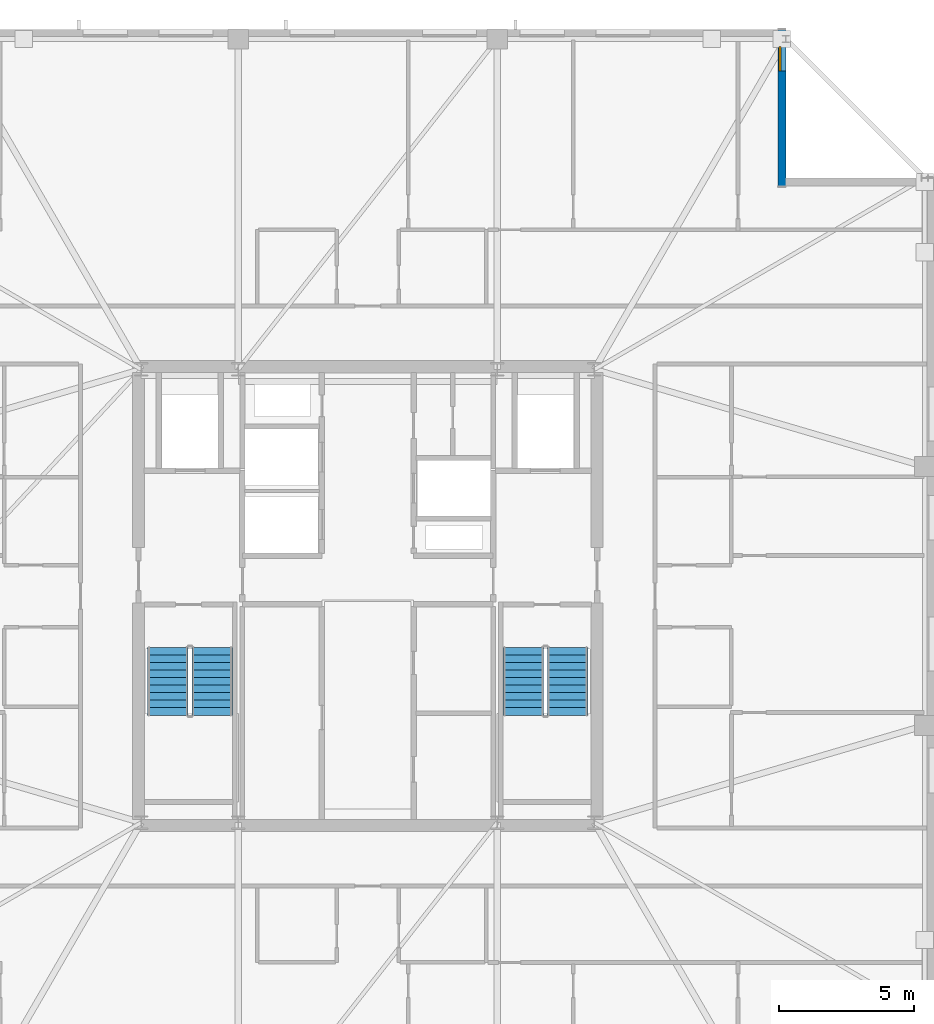
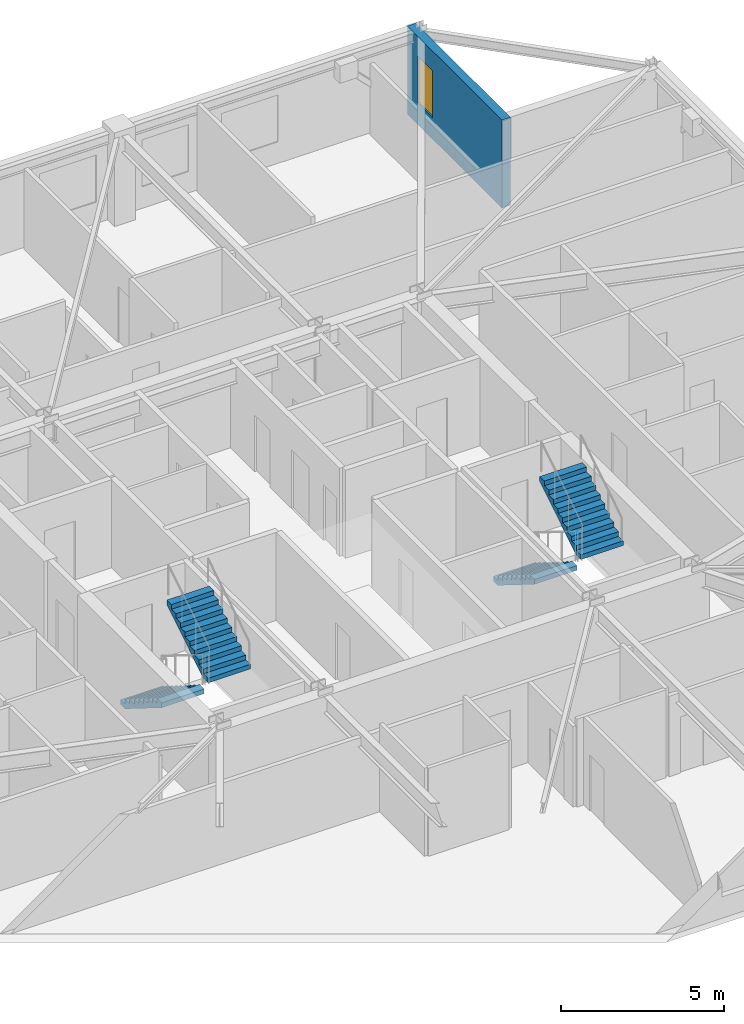
# One storey, part 11 of 15: 4 stair flights, 1 wall, 1 window, 1 opening, 2 elements without a shape of their own.
"""IFC4 building model written with IfcOpenShell, lengths in metres."""

from ifc_helpers import new_model, si_unit, direction, frame, frame_2d, origin, place, context, subcontext, project, spatial, polyline, rectangle, outline, extrude, material, layer, layer_set, type_object, element, fill, aggregate, save


model = new_model("IFC4")

# Units and contexts
model_context = context("Model", 3, precision=1e-05, world=origin(), true_north=direction((0.0, 1.0)))
body_context = subcontext(model_context, "Body", "Model", "MODEL_VIEW")
ifc_project = project(units=[si_unit("LENGTHUNIT", "METRE"), si_unit("AREAUNIT", "SQUARE_METRE"), si_unit("VOLUMEUNIT", "CUBIC_METRE"), si_unit("PLANEANGLEUNIT", "RADIAN"), si_unit("MASSUNIT", "GRAM", prefix="KILO")], contexts=[model_context])

# Site, building, storey
site_placement = place(None, origin())
site = spatial("IfcSite", under=ifc_project, at=site_placement, CompositionType="ELEMENT")
building_placement = place(site_placement, origin())
building = spatial("IfcBuilding", under=site, at=building_placement, Name="Cairnveth Concourse Tower", CompositionType="ELEMENT")
storey_placement = place(building_placement, frame((0.0, 0.0, 284.0)))
storey = spatial("IfcBuildingStorey", under=building, at=storey_placement, Name="L78", CompositionType="ELEMENT", Elevation=284.0)

# Wall, opening, window
ifc_material_1 = material(Name="Hawthorn Red-Ochre Fired Clay Brick Masonry", Category="masonry")
ifc_layer = layer(ifc_material_1, 0.300048828125)
ifc_layer_set = layer_set([ifc_layer], Name="Hawthorn Red-Ochre Fired Clay Brick Masonry")
wall_type = type_object("IfcWallType", Name="ZONE 4 BRICK PIER SPANDREL WALL 300", PredefinedType="SOLIDWALL", material=ifc_layer_set)
wall_placement = place(storey_placement, frame((67.35009765625, 60.0, 0.0), z_axis=(0.0, 0.0, 1.0), x_axis=(0.0, -1.0, 0.0)))
wall = element("IfcWall", 1, at=wall_placement, inside=storey, type_object=wall_type, Name="Exterior Wall EW-L78-S07", PredefinedType="SOLIDWALL", context=body_context, shape_type="SweptSolid", body=[
    extrude(rectangle(XDim=5.800048828125, YDim=0.300048828125, at=frame_2d((2.89990234375, 0.0))), origin(), (0.0, 0.0, 1.0), 3.2900390625),
])
opening_placement = place(wall_placement, frame((0.6298828125, 0.0, 0.800048828125)))
opening = element("IfcOpeningElement", 2, at=opening_placement, cuts=wall, Name="Opening W13", PredefinedType="OPENING", context=body_context, shape_type="SweptSolid", body=[
    extrude(rectangle(XDim=0.89990234375, YDim=1.75, at=frame_2d((0.449951171875, 0.875))), frame((0.0, 0.159912109375, 0.0), z_axis=(0.0, -1.0, 0.0), x_axis=(1.0, 0.0, 0.0)), (0.0, 0.0, 1.0), 0.320068359375),
])
ifc_material_2 = material(Name="Double Glazed Low-E Clear Glass", Category="glass")
window_type = type_object("IfcWindowType", Name="DEEP-SET BEDROOM LANCET WINDOW 900X1750", PartitioningType="DOUBLE_PANEL_VERTICAL", PredefinedType="WINDOW", material=ifc_material_2)
window_placement = place(opening_placement, origin())
window = element("IfcWindow", 3, at=window_placement, inside=storey, type_object=window_type, Name="Dwelling Lancet Window L78-DW4", OverallHeight=1.75, OverallWidth=0.89990234375, PartitioningType="SINGLE_PANEL", PredefinedType="WINDOW", context=body_context, shape_type="SweptSolid", body=[
    extrude(rectangle(XDim=0.89990234375, YDim=1.75, at=frame_2d((0.449951171875, 0.875))), frame((0.0, -0.0400390625, 0.0), z_axis=(0.0, -1.0, 0.0), x_axis=(1.0, 0.0, 0.0)), (0.0, 0.0, 1.0), 0.06005859375),
])
fill(opening, window)

# Stair, stair flights
ifc_material_3 = material(Name="Precast concrete N50 (50 MPa)", Category="concrete")
stair_type = type_object("IfcStairType", Name="CORE DOG-LEG FIRE STAIR 1500", PredefinedType="HALF_TURN_STAIR", material=ifc_material_3)
stair_1_placement = place(storey_placement, origin())
stair_1 = element("IfcStair", 4, at=stair_1_placement, inside=storey, type_object=stair_type, Name="L78 Fire-Isolated Stair ST-1", PredefinedType="HALF_TURN_STAIR")
stair_flight_type = type_object("IfcStairFlightType", Name="PRECAST CONCRETE STAIR FLIGHT 1500", PredefinedType="STRAIGHT", material=ifc_material_3)
stair_flight_1_placement = place(storey_placement, frame((44.590087890625, 37.10009765625, 0.0), z_axis=(0.0, 0.0, 1.0), x_axis=(0.0, -1.0, 0.0)))
stair_flight_1 = element("IfcStairFlight", 5, at=stair_flight_1_placement, type_object=stair_flight_type, Name="ST-1 flight 1", NumberOfRisers=10, NumberOfTreads=9, PredefinedType="STRAIGHT", RiserHeight=0.175, TreadLength=0.28, context=body_context, shape_type="SweptSolid", body=[
    extrude(outline(polyline([(0.0, 0.0), (0.0, 0.175048828125), (0.280029296875, 0.175048828125), (0.280029296875, 0.35009765625), (0.56005859375, 0.35009765625), (0.56005859375, 0.52490234375), (0.840087890625, 0.52490234375), (0.840087890625, 0.699951171875), (1.1201171875, 0.699951171875), (1.1201171875, 0.875), (1.39990234375, 0.875), (1.39990234375, 1.050048828125), (1.679931640625, 1.050048828125), (1.679931640625, 1.22509765625), (1.9599609375, 1.22509765625), (1.9599609375, 1.39990234375), (2.239990234375, 1.39990234375), (2.239990234375, 1.574951171875), (2.52001953125, 1.574951171875), (2.52001953125, 1.75), (2.52001953125, 1.398193359375), (0.28271484375, 0.0), (0.0, 0.0)])), frame((0.0, 0.75, 0.0), z_axis=(0.0, -1.0, 0.0), x_axis=(1.0, 0.0, 0.0)), (0.0, 0.0, 1.0), 1.5),
])
stair_flight_2_placement = place(storey_placement, frame((46.22998046875, 34.580078125, 1.75), z_axis=(0.0, 0.0, 1.0), x_axis=(0.0, 1.0, 0.0)))
stair_flight_2 = element("IfcStairFlight", 6, at=stair_flight_2_placement, type_object=stair_flight_type, Name="ST-1 flight 2", NumberOfRisers=10, NumberOfTreads=9, PredefinedType="STRAIGHT", RiserHeight=0.175, TreadLength=0.28, context=body_context, shape_type="SweptSolid", body=[
    extrude(outline(polyline([(0.0, 0.0), (0.0, 0.175048828125), (0.280029296875, 0.175048828125), (0.280029296875, 0.35009765625), (0.56005859375, 0.35009765625), (0.56005859375, 0.52490234375), (0.840087890625, 0.52490234375), (0.840087890625, 0.699951171875), (1.1201171875, 0.699951171875), (1.1201171875, 0.875), (1.39990234375, 0.875), (1.39990234375, 1.050048828125), (1.679931640625, 1.050048828125), (1.679931640625, 1.22509765625), (1.9599609375, 1.22509765625), (1.9599609375, 1.39990234375), (2.239990234375, 1.39990234375), (2.239990234375, 1.574951171875), (2.52001953125, 1.574951171875), (2.52001953125, 1.75), (2.52001953125, 1.398193359375), (0.28271484375, 0.0), (0.0, 0.0)])), frame((0.0, 0.75, 0.0), z_axis=(0.0, -1.0, 0.0), x_axis=(1.0, 0.0, 0.0)), (0.0, 0.0, 1.0), 1.5),
])
aggregate(stair_1, [stair_flight_1, stair_flight_2])

stair_2_placement = place(storey_placement, origin())
stair_2 = element("IfcStair", 7, at=stair_2_placement, inside=storey, type_object=stair_type, Name="L78 Fire-Isolated Stair ST-2", PredefinedType="HALF_TURN_STAIR")
stair_flight_3_placement = place(storey_placement, frame((57.77001953125, 37.10009765625, 0.0), z_axis=(0.0, 0.0, 1.0), x_axis=(0.0, -1.0, 0.0)))
stair_flight_3 = element("IfcStairFlight", 8, at=stair_flight_3_placement, type_object=stair_flight_type, Name="ST-2 flight 1", NumberOfRisers=10, NumberOfTreads=9, PredefinedType="STRAIGHT", RiserHeight=0.175, TreadLength=0.28, context=body_context, shape_type="SweptSolid", body=[
    extrude(outline(polyline([(0.0, 0.0), (0.0, 0.175048828125), (0.280029296875, 0.175048828125), (0.280029296875, 0.35009765625), (0.56005859375, 0.35009765625), (0.56005859375, 0.52490234375), (0.840087890625, 0.52490234375), (0.840087890625, 0.699951171875), (1.1201171875, 0.699951171875), (1.1201171875, 0.875), (1.39990234375, 0.875), (1.39990234375, 1.050048828125), (1.679931640625, 1.050048828125), (1.679931640625, 1.22509765625), (1.9599609375, 1.22509765625), (1.9599609375, 1.39990234375), (2.239990234375, 1.39990234375), (2.239990234375, 1.574951171875), (2.52001953125, 1.574951171875), (2.52001953125, 1.75), (2.52001953125, 1.398193359375), (0.28271484375, 0.0), (0.0, 0.0)])), frame((0.0, 0.75, 0.0), z_axis=(0.0, -1.0, 0.0), x_axis=(1.0, 0.0, 0.0)), (0.0, 0.0, 1.0), 1.5),
])
stair_flight_4_placement = place(storey_placement, frame((59.409912109375, 34.580078125, 1.75), z_axis=(0.0, 0.0, 1.0), x_axis=(0.0, 1.0, 0.0)))
stair_flight_4 = element("IfcStairFlight", 9, at=stair_flight_4_placement, type_object=stair_flight_type, Name="ST-2 flight 2", NumberOfRisers=10, NumberOfTreads=9, PredefinedType="STRAIGHT", RiserHeight=0.175, TreadLength=0.28, context=body_context, shape_type="SweptSolid", body=[
    extrude(outline(polyline([(0.0, 0.0), (0.0, 0.175048828125), (0.280029296875, 0.175048828125), (0.280029296875, 0.35009765625), (0.56005859375, 0.35009765625), (0.56005859375, 0.52490234375), (0.840087890625, 0.52490234375), (0.840087890625, 0.699951171875), (1.1201171875, 0.699951171875), (1.1201171875, 0.875), (1.39990234375, 0.875), (1.39990234375, 1.050048828125), (1.679931640625, 1.050048828125), (1.679931640625, 1.22509765625), (1.9599609375, 1.22509765625), (1.9599609375, 1.39990234375), (2.239990234375, 1.39990234375), (2.239990234375, 1.574951171875), (2.52001953125, 1.574951171875), (2.52001953125, 1.75), (2.52001953125, 1.398193359375), (0.28271484375, 0.0), (0.0, 0.0)])), frame((0.0, 0.75, 0.0), z_axis=(0.0, -1.0, 0.0), x_axis=(1.0, 0.0, 0.0)), (0.0, 0.0, 1.0), 1.5),
])
aggregate(stair_2, [stair_flight_3, stair_flight_4])

save(model, "model.ifc")
